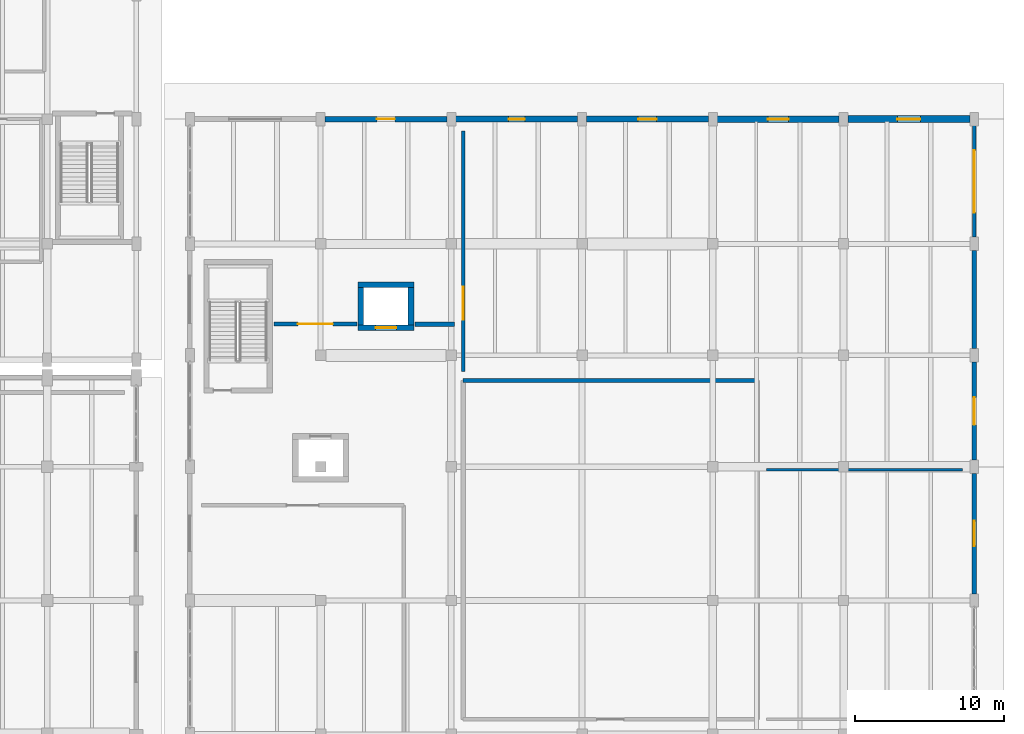
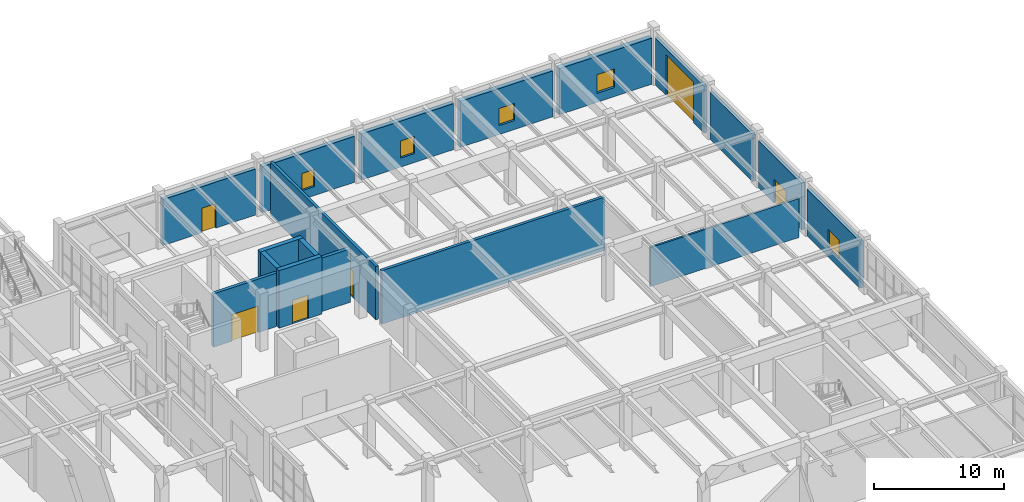
# One storey, part 78 of 91: 18 walls, 6 doors, 5 windows, 11 openings.
"""IFC4 building model written with IfcOpenShell, lengths in metres."""

from ifc_helpers import new_model, si_unit, direction, frame, frame_2d, origin, place, context, subcontext, project, spatial, rectangle, extrude, material, layer, layer_set, type_object, element, fill, save


model = new_model("IFC4")

# Units and contexts
model_context = context("Model", 3, precision=1e-05, world=origin(), true_north=direction((0.0, 1.0)))
body_context = subcontext(model_context, "Body", "Model", "MODEL_VIEW")
ifc_project = project(units=[si_unit("LENGTHUNIT", "METRE"), si_unit("AREAUNIT", "SQUARE_METRE"), si_unit("VOLUMEUNIT", "CUBIC_METRE"), si_unit("PLANEANGLEUNIT", "RADIAN"), si_unit("MASSUNIT", "GRAM", prefix="KILO")], contexts=[model_context])

# Site, building, storey
site_placement = place(None, origin())
site = spatial("IfcSite", under=ifc_project, at=site_placement, CompositionType="ELEMENT")
building_placement = place(site_placement, origin())
building = spatial("IfcBuilding", under=site, at=building_placement, Name="Vaelkrest Opera House", CompositionType="ELEMENT")
storey_placement = place(building_placement, origin())
storey = spatial("IfcBuildingStorey", under=building, at=storey_placement, Name="L00", CompositionType="ELEMENT", Elevation=0.0)

# Wall, opening, door
ifc_material_1 = material(Name="Douglas fir glulam GL28h", Category="wood")
ifc_layer_1 = layer(ifc_material_1, 0.2548828125)
ifc_layer_set_1 = layer_set([ifc_layer_1], Name="Douglas fir glulam GL28h")
wall_type_1 = type_object("IfcWallType", Name="EW01", PredefinedType="STANDARD", material=ifc_layer_set_1)
wall_1_placement = place(storey_placement, frame((86.39990234375, 33.152099609375, 0.0), z_axis=(0.0, 0.0, 1.0), x_axis=(0.0, -1.0, 0.0)))
wall_1 = element("IfcWall", 1, at=wall_1_placement, inside=storey, type_object=wall_type_1, Name="Exterior facade wall EW-V4-L00-0221", PredefinedType="STANDARD", context=body_context, shape_type="SweptSolid", body=[
    extrude(rectangle(XDim=7.504150390625, YDim=0.2548828125, at=frame_2d((3.751953125, 0.0))), origin(), (0.0, 0.0, 1.0), 4.404052734375),
])
opening_1_placement = place(wall_1_placement, frame((1.652099609375, 0.0, 0.0)))
opening_1 = element("IfcOpeningElement", 2, at=opening_1_placement, cuts=wall_1, Name="Opening VS02", PredefinedType="OPENING", context=body_context, shape_type="SweptSolid", body=[
    extrude(rectangle(XDim=4.199951171875, YDim=3.800048828125, at=frame_2d((2.10009765625, 1.89990234375))), frame((0.0, 0.137451171875, 0.0), z_axis=(0.0, -1.0, 0.0), x_axis=(1.0, 0.0, 0.0)), (0.0, 0.0, 1.0), 0.27490234375),
])
ifc_material_2 = material(Name="Dark bronze anodized aluminium", Category="aluminium")
door_type_1 = type_object("IfcDoorType", Name="VST02", OperationType="ROLLINGUP", PredefinedType="DOOR", material=ifc_material_2)
door_1_placement = place(opening_1_placement, origin())
door_1 = element("IfcDoor", 3, at=door_1_placement, inside=storey, type_object=door_type_1, Name="Exterior exit door VS02", OperationType="ROLLINGUP", OverallHeight=3.800048828125, OverallWidth=4.199951171875, PredefinedType="DOOR", context=body_context, shape_type="SweptSolid", body=[
    extrude(rectangle(XDim=4.199951171875, YDim=3.800048828125, at=frame_2d((2.10009765625, 1.89990234375))), frame((0.0, 0.02490234375, 0.0), z_axis=(0.0, -1.0, 0.0), x_axis=(1.0, 0.0, 0.0)), (0.0, 0.0, 1.0), 0.050048828125),
])
fill(opening_1, door_1)

# Wall
ifc_layer_2 = layer(ifc_material_1, 0.27490234375)
ifc_layer_set_2 = layer_set([ifc_layer_2], Name="Douglas fir glulam GL28h")
wall_type_2 = type_object("IfcWallType", Name="EW02", PredefinedType="STANDARD", material=ifc_layer_set_2)
wall_2_placement = place(storey_placement, frame((86.39990234375, 24.751953125, 0.0), z_axis=(0.0, 0.0, 1.0), x_axis=(0.0, -1.0, 0.0)))
element("IfcWall", 4, at=wall_2_placement, inside=storey, type_object=wall_type_2, Name="Exterior facade wall EW-V4-L00-0222", PredefinedType="STANDARD", context=body_context, shape_type="SweptSolid", body=[
    extrude(rectangle(XDim=6.60400390625, YDim=0.27490234375, at=frame_2d((3.302001953125, 0.0))), origin(), (0.0, 0.0, 1.0), 4.404052734375),
])

# Wall, opening, door
ifc_layer_3 = layer(ifc_material_1, 0.294921875)
ifc_layer_set_3 = layer_set([ifc_layer_3], Name="Douglas fir glulam GL28h")
wall_type_3 = type_object("IfcWallType", Name="EW03", PredefinedType="STANDARD", material=ifc_layer_set_3)
wall_3_placement = place(storey_placement, frame((86.39990234375, 17.251953125, 0.0), z_axis=(0.0, 0.0, 1.0), x_axis=(0.0, -1.0, 0.0)))
wall_3 = element("IfcWall", 5, at=wall_3_placement, inside=storey, type_object=wall_type_3, Name="Exterior facade wall EW-V4-L00-0223", PredefinedType="STANDARD", context=body_context, shape_type="SweptSolid", body=[
    extrude(rectangle(XDim=6.60400390625, YDim=0.294921875, at=frame_2d((3.302001953125, 0.0))), origin(), (0.0, 0.0, 1.0), 4.404052734375),
])
opening_2_placement = place(wall_3_placement, frame((2.376953125, 0.0, 0.0)))
opening_2 = element("IfcOpeningElement", 6, at=opening_2_placement, cuts=wall_3, Name="Opening ED26", PredefinedType="OPENING", context=body_context, shape_type="SweptSolid", body=[
    extrude(rectangle(XDim=1.85009765625, YDim=2.25, at=frame_2d((0.925048828125, 1.125))), frame((0.0, 0.157470703125, 0.0), z_axis=(0.0, -1.0, 0.0), x_axis=(1.0, 0.0, 0.0)), (0.0, 0.0, 1.0), 0.31494140625),
])
door_type_2 = type_object("IfcDoorType", Name="EDT02", OperationType="DOUBLE_DOOR_SINGLE_SWING", PredefinedType="DOOR", material=ifc_material_2)
door_2_placement = place(opening_2_placement, origin())
door_2 = element("IfcDoor", 7, at=door_2_placement, inside=storey, type_object=door_type_2, Name="Exterior exit door ED26", OperationType="DOUBLE_DOOR_SINGLE_SWING", OverallHeight=2.25, OverallWidth=1.85009765625, PredefinedType="DOOR", context=body_context, shape_type="SweptSolid", body=[
    extrude(rectangle(XDim=1.85009765625, YDim=2.25, at=frame_2d((0.925048828125, 1.125))), frame((0.0, 0.02490234375, 0.0), z_axis=(0.0, -1.0, 0.0), x_axis=(1.0, 0.0, 0.0)), (0.0, 0.0, 1.0), 0.050048828125),
])
fill(opening_2, door_2)

# Wall, opening, window
ifc_material_3 = material(Name="American black walnut acoustic timber", Category="wood")
ifc_layer_4 = layer(ifc_material_3, 0.31494140625)
ifc_layer_set_4 = layer_set([ifc_layer_4], Name="American black walnut acoustic timber")
wall_type_4 = type_object("IfcWallType", Name="EW04", PredefinedType="STANDARD", material=ifc_layer_set_4)
wall_4_placement = place(storey_placement, frame((86.39990234375, 9.751953125, 0.0), z_axis=(0.0, 0.0, 1.0), x_axis=(0.0, -1.0, 0.0)))
wall_4 = element("IfcWall", 8, at=wall_4_placement, inside=storey, type_object=wall_type_4, Name="Exterior facade wall EW-V4-L00-0224", PredefinedType="STANDARD", context=body_context, shape_type="SweptSolid", body=[
    extrude(rectangle(XDim=8.10400390625, YDim=0.31494140625, at=frame_2d((4.052001953125, 0.0))), origin(), (0.0, 0.0, 1.0), 4.404052734375),
])
opening_3_placement = place(wall_4_placement, frame((3.201904296875, 0.0, 0.85009765625)))
opening_3 = element("IfcOpeningElement", 9, at=opening_3_placement, cuts=wall_4, Name="Opening WN109", PredefinedType="OPENING", context=body_context, shape_type="SweptSolid", body=[
    extrude(rectangle(XDim=1.699951171875, YDim=1.75, at=frame_2d((0.85009765625, 0.875))), frame((0.0, 0.16748046875, 0.0), z_axis=(0.0, -1.0, 0.0), x_axis=(1.0, 0.0, 0.0)), (0.0, 0.0, 1.0), 0.3349609375),
])
ifc_material_4 = material(Name="Double low-E insulated glazing", Category="glass")
window_type_1 = type_object("IfcWindowType", Name="WT05", PartitioningType="SINGLE_PANEL", PredefinedType="WINDOW", material=ifc_material_4)
window_1_placement = place(opening_3_placement, origin())
window_1 = element("IfcWindow", 10, at=window_1_placement, inside=storey, type_object=window_type_1, Name="Facade window WN109", OverallHeight=1.75, OverallWidth=1.699951171875, PartitioningType="SINGLE_PANEL", PredefinedType="WINDOW", context=body_context, shape_type="SweptSolid", body=[
    extrude(rectangle(XDim=1.699951171875, YDim=1.75, at=frame_2d((0.85009765625, 0.875))), frame((0.0, 0.030029296875, 0.0), z_axis=(0.0, -1.0, 0.0), x_axis=(1.0, 0.0, 0.0)), (0.0, 0.0, 1.0), 0.06005859375),
])
fill(opening_3, window_1)

# Wall, opening, door
ifc_layer_5 = layer(ifc_material_3, 0.360107421875)
ifc_layer_set_5 = layer_set([ifc_layer_5], Name="American black walnut acoustic timber")
wall_type_5 = type_object("IfcWallType", Name="EW06", PredefinedType="STANDARD", material=ifc_layer_set_5)
wall_5_placement = place(storey_placement, frame((42.697998046875, 33.60009765625, 0.0), z_axis=(0.0, 0.0, 1.0), x_axis=(1.0, 0.0, 0.0)))
wall_5 = element("IfcWall", 11, at=wall_5_placement, inside=storey, type_object=wall_type_5, Name="Exterior facade wall EW-V4-L00-0216", PredefinedType="STANDARD", context=body_context, shape_type="SweptSolid", body=[
    extrude(rectangle(XDim=8.2041015625, YDim=0.360107421875, at=frame_2d((4.10205078125, 0.0))), origin(), (0.0, 0.0, 1.0), 4.320068359375),
])
opening_4_placement = place(wall_5_placement, frame((3.491943359375, 0.0, 0.0)))
opening_4 = element("IfcOpeningElement", 12, at=opening_4_placement, cuts=wall_5, Name="Opening ED-N-V4", PredefinedType="OPENING", context=body_context, shape_type="SweptSolid", body=[
    extrude(rectangle(XDim=1.219970703125, YDim=2.300048828125, at=frame_2d((0.60986328125, 1.14990234375))), frame((0.0, 0.18994140625, 0.0), z_axis=(0.0, -1.0, 0.0), x_axis=(1.0, 0.0, 0.0)), (0.0, 0.0, 1.0), 0.380126953125),
])
door_type_3 = type_object("IfcDoorType", Name="EDT06", OperationType="NOTDEFINED", PredefinedType="DOOR", material=ifc_material_2)
door_3_placement = place(opening_4_placement, origin())
door_3 = element("IfcDoor", 13, at=door_3_placement, inside=storey, type_object=door_type_3, Name="Exterior exit door ED-N-V4", OperationType="SINGLE_SWING_RIGHT", OverallHeight=2.300048828125, OverallWidth=1.219970703125, PredefinedType="DOOR", context=body_context, shape_type="SweptSolid", body=[
    extrude(rectangle(XDim=1.219970703125, YDim=2.300048828125, at=frame_2d((0.60986328125, 1.14990234375))), frame((0.0, 0.02490234375, 0.0), z_axis=(0.0, -1.0, 0.0), x_axis=(1.0, 0.0, 0.0)), (0.0, 0.0, 1.0), 0.050048828125),
])
fill(opening_4, door_3)

# Wall, opening, window
ifc_material_5 = material(Name="Concrete C40/50", Category="concrete")
ifc_layer_6 = layer(ifc_material_5, 0.385009765625)
ifc_layer_set_6 = layer_set([ifc_layer_6], Name="Concrete C40/50")
wall_type_6 = type_object("IfcWallType", Name="EW07", PredefinedType="STANDARD", material=ifc_layer_set_6)
wall_6_placement = place(storey_placement, frame((51.498046875, 33.60009765625, 0.0), z_axis=(0.0, 0.0, 1.0), x_axis=(1.0, 0.0, 0.0)))
wall_6 = element("IfcWall", 14, at=wall_6_placement, inside=storey, type_object=wall_type_6, Name="Exterior facade wall EW-V4-L00-0217", PredefinedType="STANDARD", context=body_context, shape_type="SweptSolid", body=[
    extrude(rectangle(XDim=8.203857421875, YDim=0.385009765625, at=frame_2d((4.10205078125, 0.0))), origin(), (0.0, 0.0, 1.0), 4.320068359375),
])
opening_5_placement = place(wall_6_placement, frame((3.552001953125, 0.0, 0.85009765625)))
opening_5 = element("IfcOpeningElement", 15, at=opening_5_placement, cuts=wall_6, Name="Opening WN105", PredefinedType="OPENING", context=body_context, shape_type="SweptSolid", body=[
    extrude(rectangle(XDim=1.10009765625, YDim=1.60009765625, at=frame_2d((0.550048828125, 0.800048828125))), frame((0.0, 0.202392578125, 0.0), z_axis=(0.0, -1.0, 0.0), x_axis=(1.0, 0.0, 0.0)), (0.0, 0.0, 1.0), 0.405029296875),
])
window_type_2 = type_object("IfcWindowType", Name="WT01", PartitioningType="SINGLE_PANEL", PredefinedType="WINDOW", material=ifc_material_4)
window_2_placement = place(opening_5_placement, origin())
window_2 = element("IfcWindow", 16, at=window_2_placement, inside=storey, type_object=window_type_2, Name="Facade window WN105", OverallHeight=1.60009765625, OverallWidth=1.10009765625, PartitioningType="SINGLE_PANEL", PredefinedType="WINDOW", context=body_context, shape_type="SweptSolid", body=[
    extrude(rectangle(XDim=1.10009765625, YDim=1.60009765625, at=frame_2d((0.550048828125, 0.800048828125))), frame((0.0, 0.030029296875, 0.0), z_axis=(0.0, -1.0, 0.0), x_axis=(1.0, 0.0, 0.0)), (0.0, 0.0, 1.0), 0.06005859375),
])
fill(opening_5, window_2)

ifc_layer_7 = layer(ifc_material_5, 0.409912109375)
ifc_layer_set_7 = layer_set([ifc_layer_7], Name="Concrete C40/50")
wall_type_7 = type_object("IfcWallType", Name="EW08", PredefinedType="STANDARD", material=ifc_layer_set_7)
wall_7_placement = place(storey_placement, frame((60.298095703125, 33.60009765625, 0.0), z_axis=(0.0, 0.0, 1.0), x_axis=(1.0, 0.0, 0.0)))
wall_7 = element("IfcWall", 17, at=wall_7_placement, inside=storey, type_object=wall_type_7, Name="Exterior facade wall EW-V4-L00-0218", PredefinedType="STANDARD", context=body_context, shape_type="SweptSolid", body=[
    extrude(rectangle(XDim=8.203857421875, YDim=0.409912109375, at=frame_2d((4.10205078125, 0.0))), origin(), (0.0, 0.0, 1.0), 4.320068359375),
])
opening_6_placement = place(wall_7_placement, frame((3.47705078125, 0.0, 0.85009765625)))
opening_6 = element("IfcOpeningElement", 18, at=opening_6_placement, cuts=wall_7, Name="Opening WN106", PredefinedType="OPENING", context=body_context, shape_type="SweptSolid", body=[
    extrude(rectangle(XDim=1.25, YDim=1.60009765625, at=frame_2d((0.625, 0.800048828125))), frame((0.0, 0.21484375, 0.0), z_axis=(0.0, -1.0, 0.0), x_axis=(1.0, 0.0, 0.0)), (0.0, 0.0, 1.0), 0.429931640625),
])
window_type_3 = type_object("IfcWindowType", Name="WT02", PartitioningType="SINGLE_PANEL", PredefinedType="WINDOW", material=ifc_material_4)
window_3_placement = place(opening_6_placement, origin())
window_3 = element("IfcWindow", 19, at=window_3_placement, inside=storey, type_object=window_type_3, Name="Facade window WN106", OverallHeight=1.60009765625, OverallWidth=1.25, PartitioningType="SINGLE_PANEL", PredefinedType="WINDOW", context=body_context, shape_type="SweptSolid", body=[
    extrude(rectangle(XDim=1.25, YDim=1.60009765625, at=frame_2d((0.625, 0.800048828125))), frame((0.0, 0.030029296875, 0.0), z_axis=(0.0, -1.0, 0.0), x_axis=(1.0, 0.0, 0.0)), (0.0, 0.0, 1.0), 0.06005859375),
])
fill(opening_6, window_3)

ifc_layer_8 = layer(ifc_material_5, 0.43505859375)
ifc_layer_set_8 = layer_set([ifc_layer_8], Name="Concrete C40/50")
wall_type_8 = type_object("IfcWallType", Name="EW09", PredefinedType="STANDARD", material=ifc_layer_set_8)
wall_8_placement = place(storey_placement, frame((69.097900390625, 33.60009765625, 0.0), z_axis=(0.0, 0.0, 1.0), x_axis=(1.0, 0.0, 0.0)))
wall_8 = element("IfcWall", 20, at=wall_8_placement, inside=storey, type_object=wall_type_8, Name="Exterior facade wall EW-V4-L00-0219", PredefinedType="STANDARD", context=body_context, shape_type="SweptSolid", body=[
    extrude(rectangle(XDim=8.2041015625, YDim=0.43505859375, at=frame_2d((4.10205078125, 0.0))), origin(), (0.0, 0.0, 1.0), 4.320068359375),
])
opening_7_placement = place(wall_8_placement, frame((3.402099609375, 0.0, 0.85009765625)))
opening_7 = element("IfcOpeningElement", 21, at=opening_7_placement, cuts=wall_8, Name="Opening WN107", PredefinedType="OPENING", context=body_context, shape_type="SweptSolid", body=[
    extrude(rectangle(XDim=1.39990234375, YDim=1.60009765625, at=frame_2d((0.699951171875, 0.800048828125))), frame((0.0, 0.2275390625, 0.0), z_axis=(0.0, -1.0, 0.0), x_axis=(1.0, 0.0, 0.0)), (0.0, 0.0, 1.0), 0.455078125),
])
window_type_4 = type_object("IfcWindowType", Name="WT03", PartitioningType="SINGLE_PANEL", PredefinedType="WINDOW", material=ifc_material_4)
window_4_placement = place(opening_7_placement, origin())
window_4 = element("IfcWindow", 22, at=window_4_placement, inside=storey, type_object=window_type_4, Name="Facade window WN107", OverallHeight=1.60009765625, OverallWidth=1.39990234375, PartitioningType="SINGLE_PANEL", PredefinedType="WINDOW", context=body_context, shape_type="SweptSolid", body=[
    extrude(rectangle(XDim=1.39990234375, YDim=1.60009765625, at=frame_2d((0.699951171875, 0.800048828125))), frame((0.0, 0.030029296875, 0.0), z_axis=(0.0, -1.0, 0.0), x_axis=(1.0, 0.0, 0.0)), (0.0, 0.0, 1.0), 0.06005859375),
])
fill(opening_7, window_4)

ifc_layer_9 = layer(ifc_material_5, 0.465087890625)
ifc_layer_set_9 = layer_set([ifc_layer_9], Name="Concrete C40/50")
wall_type_9 = type_object("IfcWallType", Name="EW10", PredefinedType="STANDARD", material=ifc_layer_set_9)
wall_9_placement = place(storey_placement, frame((77.89794921875, 33.60009765625, 0.0), z_axis=(0.0, 0.0, 1.0), x_axis=(1.0, 0.0, 0.0)))
wall_9 = element("IfcWall", 23, at=wall_9_placement, inside=storey, type_object=wall_type_9, Name="Exterior facade wall EW-V4-L00-0220", PredefinedType="STANDARD", context=body_context, shape_type="SweptSolid", body=[
    extrude(rectangle(XDim=8.2041015625, YDim=0.465087890625, at=frame_2d((4.10205078125, 0.0))), origin(), (0.0, 0.0, 1.0), 4.320068359375),
])
opening_8_placement = place(wall_9_placement, frame((3.326904296875, 0.0, 0.85009765625)))
opening_8 = element("IfcOpeningElement", 24, at=opening_8_placement, cuts=wall_9, Name="Opening WN108", PredefinedType="OPENING", context=body_context, shape_type="SweptSolid", body=[
    extrude(rectangle(XDim=1.550048828125, YDim=1.75, at=frame_2d((0.77490234375, 0.875))), frame((0.0, 0.242431640625, 0.0), z_axis=(0.0, -1.0, 0.0), x_axis=(1.0, 0.0, 0.0)), (0.0, 0.0, 1.0), 0.485107421875),
])
window_type_5 = type_object("IfcWindowType", Name="WT04", PartitioningType="SINGLE_PANEL", PredefinedType="WINDOW", material=ifc_material_4)
window_5_placement = place(opening_8_placement, origin())
window_5 = element("IfcWindow", 25, at=window_5_placement, inside=storey, type_object=window_type_5, Name="Facade window WN108", OverallHeight=1.75, OverallWidth=1.550048828125, PartitioningType="SINGLE_PANEL", PredefinedType="WINDOW", context=body_context, shape_type="SweptSolid", body=[
    extrude(rectangle(XDim=1.550048828125, YDim=1.75, at=frame_2d((0.77490234375, 0.875))), frame((0.0, 0.030029296875, 0.0), z_axis=(0.0, -1.0, 0.0), x_axis=(1.0, 0.0, 0.0)), (0.0, 0.0, 1.0), 0.06005859375),
])
fill(opening_8, window_5)

# Wall, opening, door
ifc_layer_10 = layer(ifc_material_5, 0.239990234375)
ifc_layer_set_10 = layer_set([ifc_layer_10], Name="Concrete C40/50")
wall_type_10 = type_object("IfcWallType", Name="PT09", PredefinedType="PARTITIONING", material=ifc_layer_set_10)
wall_10_placement = place(storey_placement, frame((52.0, 16.60009765625, 0.0), z_axis=(0.0, 0.0, 1.0), x_axis=(0.0, 1.0, 0.0)))
wall_10 = element("IfcWall", 26, at=wall_10_placement, inside=storey, type_object=wall_type_10, Name="Interior partition PT-V4-L00-0351", PredefinedType="PARTITIONING", context=body_context, shape_type="SweptSolid", body=[
    extrude(rectangle(XDim=16.199951171875, YDim=0.239990234375, at=frame_2d((8.10009765625, 0.0))), origin(), (0.0, 0.0, 1.0), 5.02001953125),
])
opening_9_placement = place(wall_10_placement, frame((3.47802734375, 0.0, 0.0)))
opening_9 = element("IfcOpeningElement", 27, at=opening_9_placement, cuts=wall_10, Name="Opening D140", PredefinedType="OPENING", context=body_context, shape_type="SweptSolid", body=[
    extrude(rectangle(XDim=2.25, YDim=2.449951171875, at=frame_2d((1.125, 1.22509765625))), frame((0.0, 0.1298828125, 0.0), z_axis=(0.0, -1.0, 0.0), x_axis=(1.0, 0.0, 0.0)), (0.0, 0.0, 1.0), 0.260009765625),
])
door_type_4 = type_object("IfcDoorType", Name="DT26", OperationType="DOUBLE_DOOR_SINGLE_SWING", PredefinedType="DOOR", material=ifc_material_3)
door_4_placement = place(opening_9_placement, origin())
door_4 = element("IfcDoor", 28, at=door_4_placement, inside=storey, type_object=door_type_4, Name="Interior door D140 (Truck Loading Dock)", OperationType="DOUBLE_DOOR_SINGLE_SWING", OverallHeight=2.449951171875, OverallWidth=2.25, PredefinedType="DOOR", context=body_context, shape_type="SweptSolid", body=[
    extrude(rectangle(XDim=2.25, YDim=2.449951171875, at=frame_2d((1.125, 1.22509765625))), frame((0.0, 0.02490234375, 0.0), z_axis=(0.0, -1.0, 0.0), x_axis=(1.0, 0.0, 0.0)), (0.0, 0.0, 1.0), 0.050048828125),
])
fill(opening_9, door_4)

# Wall
ifc_layer_11 = layer(ifc_material_5, 0.260009765625)
ifc_layer_set_11 = layer_set([ifc_layer_11], Name="Concrete C40/50")
wall_type_11 = type_object("IfcWallType", Name="PT10", PredefinedType="PARTITIONING", material=ifc_layer_set_11)
wall_11_placement = place(storey_placement, frame((52.0, 16.0, 0.0), z_axis=(0.0, 0.0, 1.0), x_axis=(1.0, 0.0, 0.0)))
element("IfcWall", 29, at=wall_11_placement, inside=storey, type_object=wall_type_11, Name="Interior partition PT-V4-L00-0346", PredefinedType="PARTITIONING", context=body_context, shape_type="SweptSolid", body=[
    extrude(rectangle(XDim=19.800048828125, YDim=0.260009765625, at=frame_2d((9.89990234375, 0.0))), origin(), (0.0, 0.0, 1.0), 5.02001953125),
])

# Wall, opening, door
ifc_layer_12 = layer(ifc_material_5, 0.280029296875)
ifc_layer_set_12 = layer_set([ifc_layer_12], Name="Concrete C40/50")
wall_type_12 = type_object("IfcWallType", Name="PT11", PredefinedType="PARTITIONING", material=ifc_layer_set_12)
wall_12_placement = place(storey_placement, frame((39.25, 19.800048828125, 0.0), z_axis=(0.0, 0.0, 1.0), x_axis=(1.0, 0.0, 0.0)))
wall_12 = element("IfcWall", 30, at=wall_12_placement, inside=storey, type_object=wall_type_12, Name="Interior partition PT-V4-L00-0361", PredefinedType="PARTITIONING", context=body_context, shape_type="SweptSolid", body=[
    extrude(rectangle(XDim=5.60009765625, YDim=0.280029296875, at=frame_2d((2.800048828125, 0.0))), origin(), (0.0, 0.0, 1.0), 5.02001953125),
])
opening_10_placement = place(wall_12_placement, frame((1.625, 0.0, 0.0)))
opening_10 = element("IfcOpeningElement", 31, at=opening_10_placement, cuts=wall_12, Name="Opening D146", PredefinedType="OPENING", context=body_context, shape_type="SweptSolid", body=[
    extrude(rectangle(XDim=2.35009765625, YDim=2.5, at=frame_2d((1.175048828125, 1.25))), frame((0.0, 0.14990234375, 0.0), z_axis=(0.0, -1.0, 0.0), x_axis=(1.0, 0.0, 0.0)), (0.0, 0.0, 1.0), 0.300048828125),
])
door_type_5 = type_object("IfcDoorType", Name="DT18", OperationType="DOUBLE_DOOR_SINGLE_SWING", PredefinedType="DOOR", material=ifc_material_3)
door_5_placement = place(opening_10_placement, origin())
door_5 = element("IfcDoor", 32, at=door_5_placement, inside=storey, type_object=door_type_5, Name="Interior door D146 (Costume Dye Studio)", OperationType="DOUBLE_DOOR_SINGLE_SWING", OverallHeight=2.5, OverallWidth=2.35009765625, PredefinedType="DOOR", context=body_context, shape_type="SweptSolid", body=[
    extrude(rectangle(XDim=2.35009765625, YDim=2.5, at=frame_2d((1.175048828125, 1.25))), frame((0.0, 0.02490234375, 0.0), z_axis=(0.0, -1.0, 0.0), x_axis=(1.0, 0.0, 0.0)), (0.0, 0.0, 1.0), 0.050048828125),
])
fill(opening_10, door_5)

# Walls
ifc_layer_13 = layer(ifc_material_5, 0.304931640625)
ifc_layer_set_13 = layer_set([ifc_layer_13], Name="Concrete C40/50")
wall_type_13 = type_object("IfcWallType", Name="PT12", PredefinedType="PARTITIONING", material=ifc_layer_set_13)
wall_13_placement = place(storey_placement, frame((48.75, 19.800048828125, 0.0), z_axis=(0.0, 0.0, 1.0), x_axis=(1.0, 0.0, 0.0)))
element("IfcWall", 33, at=wall_13_placement, inside=storey, type_object=wall_type_13, Name="Interior partition PT-V4-L00-0362", PredefinedType="PARTITIONING", context=body_context, shape_type="SweptSolid", body=[
    extrude(rectangle(XDim=2.64990234375, YDim=0.304931640625, at=frame_2d((1.324951171875, 0.0))), origin(), (0.0, 0.0, 1.0), 5.02001953125),
])
ifc_layer_14 = layer(ifc_material_3, 0.175048828125)
ifc_layer_set_14 = layer_set([ifc_layer_14], Name="American black walnut acoustic timber")
wall_type_14 = type_object("IfcWallType", Name="PT14", PredefinedType="PARTITIONING", material=ifc_layer_set_14)
wall_14_placement = place(storey_placement, frame((72.39990234375, 10.0, 0.0), z_axis=(0.0, 0.0, 1.0), x_axis=(1.0, 0.0, 0.0)))
element("IfcWall", 34, at=wall_14_placement, inside=storey, type_object=wall_type_14, Name="Interior partition PT-V4-L00-0350", PredefinedType="PARTITIONING", context=body_context, shape_type="SweptSolid", body=[
    extrude(rectangle(XDim=13.2001953125, YDim=0.175048828125, at=frame_2d((6.60009765625, 0.0))), origin(), (0.0, 0.0, 1.0), 3.6650390625),
])

# Wall, opening, door
ifc_material_6 = material(Name="Concrete C50/60", Category="concrete")
ifc_layer_15 = layer(ifc_material_6, 0.389892578125)
ifc_layer_set_15 = layer_set([ifc_layer_15], Name="Concrete C50/60")
wall_type_15 = type_object("IfcWallType", Name="SW02", PredefinedType="SHEAR", material=ifc_layer_set_15)
wall_15_placement = place(storey_placement, frame((48.68994140625, 19.554931640625, 0.0), z_axis=(0.0, 0.0, 1.0), x_axis=(-1.0, 0.0, 0.0)))
wall_15 = element("IfcWall", 35, at=wall_15_placement, inside=storey, type_object=wall_type_15, Name="Lift shaft LS01 wall L00 S", PredefinedType="SHEAR", context=body_context, shape_type="SweptSolid", body=[
    extrude(rectangle(XDim=3.780029296875, YDim=0.389892578125, at=frame_2d((1.89013671875, 0.0))), origin(), (0.0, 0.0, 1.0), 5.39990234375),
])
opening_11_placement = place(wall_15_placement, frame((1.18994140625, 0.0, 0.0)))
opening_11 = element("IfcOpeningElement", 36, at=opening_11_placement, cuts=wall_15, Name="Opening LD-LS01-L00", PredefinedType="OPENING", context=body_context, shape_type="SweptSolid", body=[
    extrude(rectangle(XDim=1.39990234375, YDim=2.199951171875, at=frame_2d((0.699951171875, 1.10009765625))), frame((0.0, 0.204833984375, 0.0), z_axis=(0.0, -1.0, 0.0), x_axis=(1.0, 0.0, 0.0)), (0.0, 0.0, 1.0), 0.409912109375),
])
door_type_6 = type_object("IfcDoorType", Name="LDT02", OperationType="SLIDING_TO_LEFT", PredefinedType="DOOR", material=ifc_material_2)
door_6_placement = place(opening_11_placement, origin())
door_6 = element("IfcDoor", 37, at=door_6_placement, inside=storey, type_object=door_type_6, Name="Lift landing sliding door LD-LS01-L00", OperationType="SLIDING_TO_LEFT", OverallHeight=2.199951171875, OverallWidth=1.39990234375, PredefinedType="DOOR", context=body_context, shape_type="SweptSolid", body=[
    extrude(rectangle(XDim=1.39990234375, YDim=2.199951171875, at=frame_2d((0.699951171875, 1.10009765625))), frame((0.0, 0.02490234375, 0.0), z_axis=(0.0, -1.0, 0.0), x_axis=(1.0, 0.0, 0.0)), (0.0, 0.0, 1.0), 0.050048828125),
])
fill(opening_11, door_6)

# Walls
wall_16_placement = place(storey_placement, frame((44.909912109375, 22.445068359375, 0.0), z_axis=(0.0, 0.0, 1.0), x_axis=(1.0, 0.0, 0.0)))
element("IfcWall", 38, at=wall_16_placement, inside=storey, type_object=wall_type_15, Name="Lift shaft LS01 wall L00 N", PredefinedType="SHEAR", context=body_context, shape_type="SweptSolid", body=[
    extrude(rectangle(XDim=3.780029296875, YDim=0.389892578125, at=frame_2d((1.89013671875, 0.0))), origin(), (0.0, 0.0, 1.0), 5.39990234375),
])
for number, where, z_axis, x_axis, name in (
    (39, (45.10498046875, 19.75, 0.0), (0.0, 0.0, 1.0), (0.0, 1.0, 0.0), "Lift shaft LS01 wall L00 W"),
    (40, (48.4951171875, 22.25, 0.0), (0.0, 0.0, 1.0), (0.0, -1.0, 0.0), "Lift shaft LS01 wall L00 E"),
):
    element("IfcWall", number, at=place(storey_placement, frame(where, z_axis=z_axis, x_axis=x_axis)), inside=storey, type_object=wall_type_15, Name=name, PredefinedType="SHEAR", context=body_context, shape_type="SweptSolid", body=[
        extrude(rectangle(XDim=2.5, YDim=0.389892578125, at=frame_2d((1.25, 0.0))), origin(), (0.0, 0.0, 1.0), 5.39990234375),
    ])

save(model, "model.ifc")
